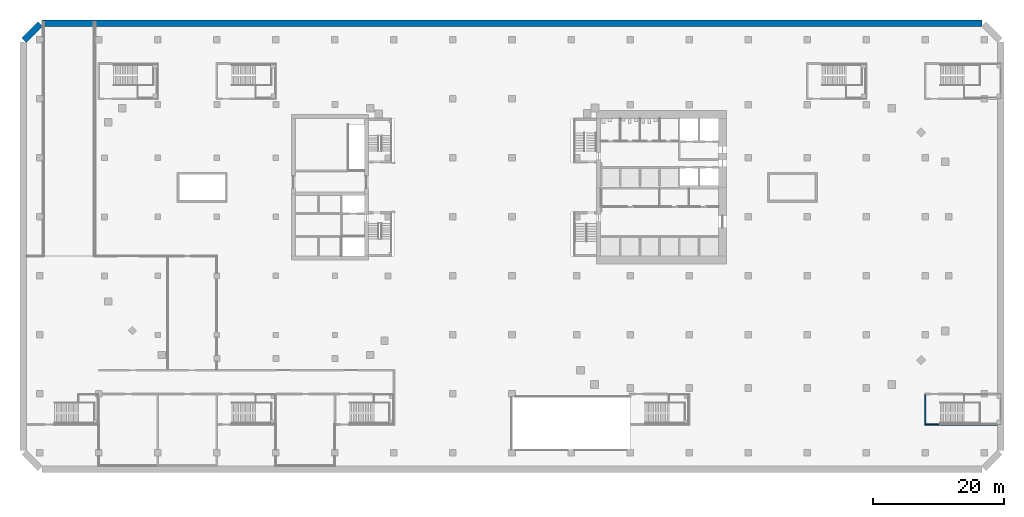
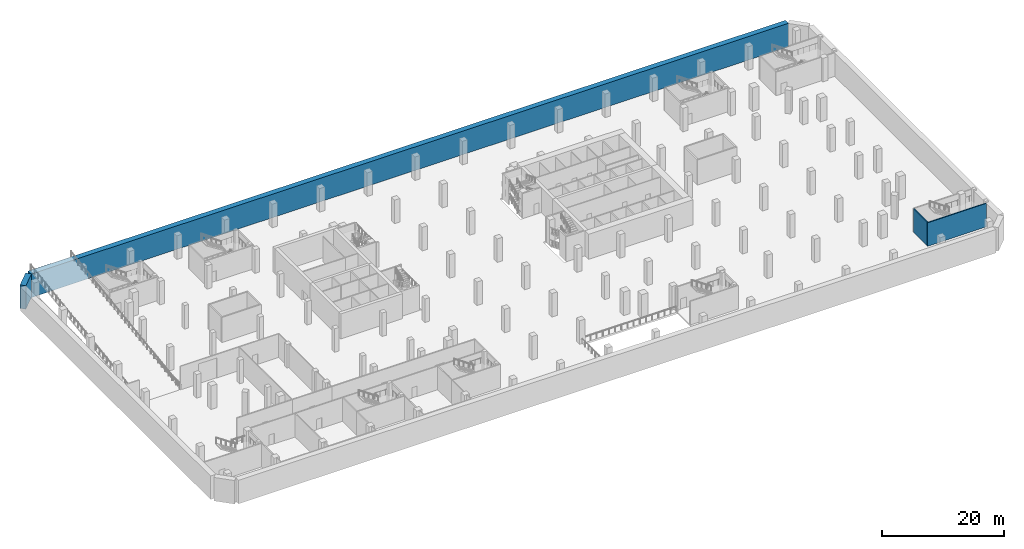
# One storey, part 9 of 19: 4 walls.
"""IFC4 building model written with IfcOpenShell, lengths in metres."""

from ifc_helpers import new_model, si_unit, direction, frame, frame_2d, origin, place, context, subcontext, project, spatial, rectangle, extrude, material, layer, layer_set, type_object, element, save


model = new_model("IFC4")

# Units and contexts
model_context = context("Model", 3, precision=1e-05, world=origin(), true_north=direction((0.0, 1.0)))
body_context = subcontext(model_context, "Body", "Model", "MODEL_VIEW")
ifc_project = project(units=[si_unit("LENGTHUNIT", "METRE"), si_unit("AREAUNIT", "SQUARE_METRE"), si_unit("VOLUMEUNIT", "CUBIC_METRE"), si_unit("PLANEANGLEUNIT", "RADIAN"), si_unit("MASSUNIT", "GRAM", prefix="KILO")], contexts=[model_context])

# Site, building, storey
site_placement = place(None, origin())
site = spatial("IfcSite", under=ifc_project, at=site_placement, CompositionType="ELEMENT")
building_placement = place(site_placement, origin())
building = spatial("IfcBuilding", under=site, at=building_placement, Name="Cinnabar Reach Civic Tower", CompositionType="ELEMENT")
storey_placement = place(building_placement, frame((0.0, 0.0, -5.0)))
storey = spatial("IfcBuildingStorey", under=building, at=storey_placement, Name="B1", CompositionType="ELEMENT", Elevation=-5.0)

# Walls
ifc_material_1 = material(Name="Concrete C70", Category="concrete")
ifc_layer_1 = layer(ifc_material_1, 1.0)
ifc_layer_set_1 = layer_set([ifc_layer_1], Name="Basement wall 1000 EI 180")
wall_type_1 = type_object("IfcWallType", Name="Basement wall 1000 EI 180", PredefinedType="SOLIDWALL", material=ifc_layer_set_1)
wall_1_placement = place(storey_placement, frame((-83.3924, 53.9004, 0.0), z_axis=(0.0, 0.0, 1.0), x_axis=(0.707106781187, 0.707106781187, 0.0)))
element("IfcWall", 1, at=wall_1_placement, inside=storey, type_object=wall_type_1, Name="Basement wall B1 3", PredefinedType="SOLIDWALL", context=body_context, shape_type="SweptSolid", body=[
    extrude(rectangle(XDim=3.5242, YDim=1.0, at=frame_2d((1.7621, 0.0))), origin(), (0.0, 0.0, 1.0), 4.7),
])
wall_2_placement = place(storey_placement, frame((-80.6408, 56.5, 0.0), z_axis=(0.0, 0.0, 1.0), x_axis=(1.0, 0.0, 0.0)))
element("IfcWall", 2, at=wall_2_placement, inside=storey, type_object=wall_type_1, Name="Basement wall B1 4", PredefinedType="SOLIDWALL", context=body_context, shape_type="SweptSolid", body=[
    extrude(rectangle(XDim=143.2816, YDim=1.0, at=frame_2d((71.6408, 0.0))), origin(), (0.0, 0.0, 1.0), 4.7),
])
ifc_material_2 = material(Name="Concrete C40", Category="concrete")
ifc_layer_2 = layer(ifc_material_2, 0.2)
ifc_layer_set_2 = layer_set([ifc_layer_2], Name="Podium stair shaft wall 200 EI 120")
wall_type_2 = type_object("IfcWallType", Name="Podium stair shaft wall 200 EI 120", PredefinedType="SOLIDWALL", material=ifc_layer_set_2)
wall_3_placement = place(storey_placement, frame((54.0, -4.55, 0.0), z_axis=(0.0, 0.0, 1.0), x_axis=(0.0, 1.0, 0.0)))
element("IfcWall", 3, at=wall_3_placement, inside=storey, type_object=wall_type_2, Name="Wall B1 11", PredefinedType="SOLIDWALL", context=body_context, shape_type="SweptSolid", body=[
    extrude(rectangle(XDim=4.45, YDim=0.2, at=frame_2d((2.225, 0.0))), origin(), (0.0, 0.0, 1.0), 4.7),
])
wall_4_placement = place(storey_placement, frame((53.9, -4.65, 0.0), z_axis=(0.0, 0.0, 1.0), x_axis=(1.0, 0.0, 0.0)))
element("IfcWall", 4, at=wall_4_placement, inside=storey, type_object=wall_type_2, Name="Wall B1 14", PredefinedType="SOLIDWALL", context=body_context, shape_type="SweptSolid", body=[
    extrude(rectangle(XDim=11.1, YDim=0.2, at=frame_2d((5.55, 0.0))), origin(), (0.0, 0.0, 1.0), 4.7),
])

save(model, "model.ifc")
